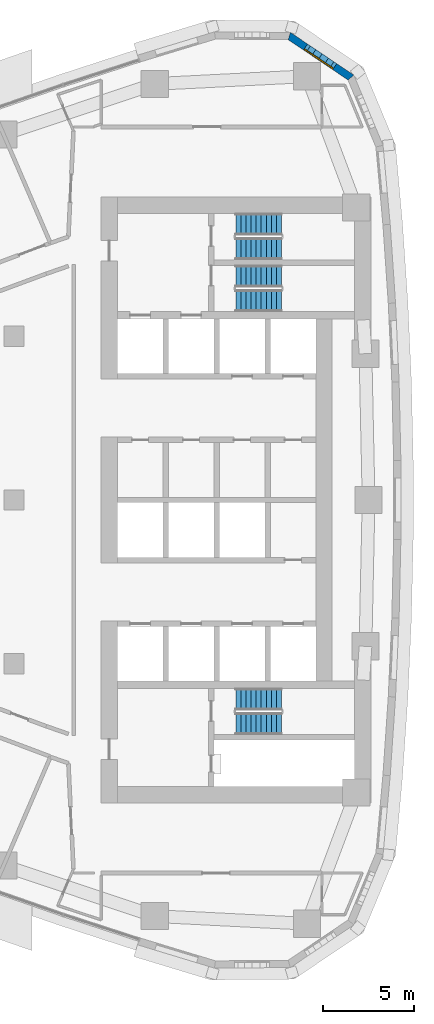
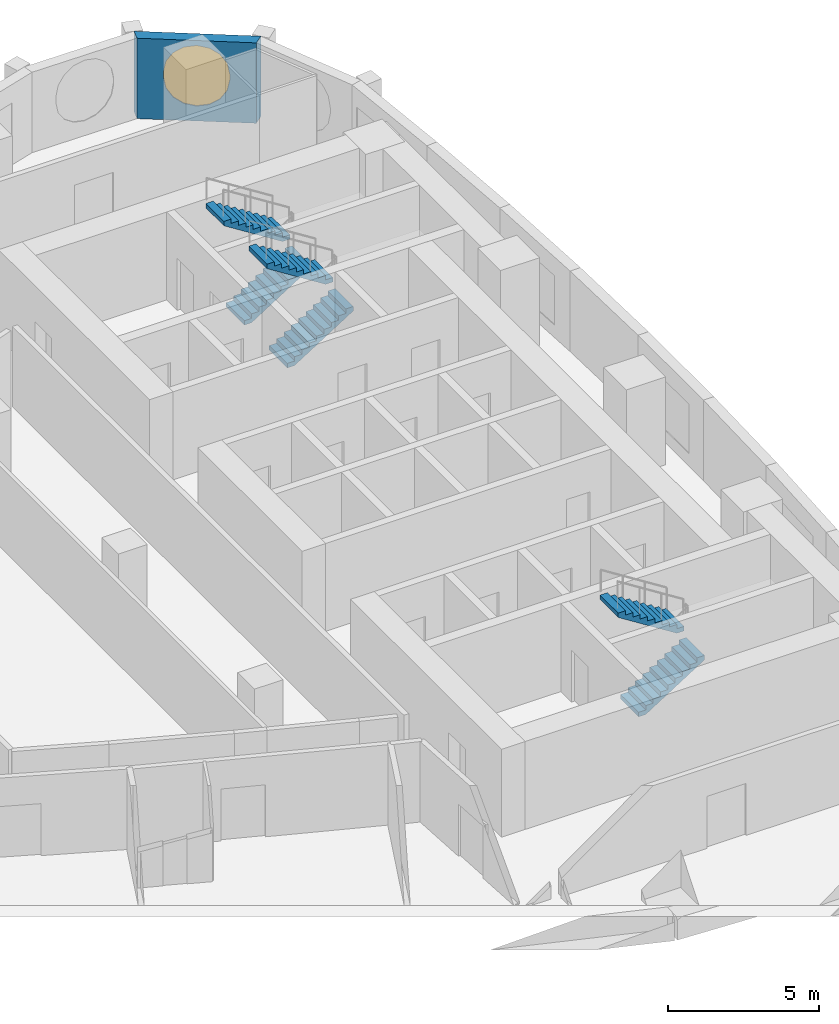
# One storey, part 13 of 17: 6 stair flights, 1 wall, 1 window, 1 opening, 3 elements without a shape of their own.
"""IFC4 building model written with IfcOpenShell, lengths in metres."""

import ifcopenshell
import ifcopenshell.guid

model = None  # the IFC model being written
_history = None  # IfcOwnerHistory: only IFC2X3 demands one
_inside = {}  # id of a spatial element -> (the spatial element, [elements in it])
_under = {}  # id of a project, library or spatial element -> (it, [spatial elements below it])
_declared = {}  # id of a project -> (the project, [libraries it declares])
_typed = {}  # id of a type object -> (the type object, [elements of that type])
_made_of = {}  # id of a material, layer set ... -> (it, [elements and type objects made of it])


def new_model(schema):
    """Start an empty IFC model of exactly this schema.

    Asked for "IFC4X3", IfcOpenShell would pick the latest addendum, in which some entities
    have other attributes; the version numbers below select the first issue.
    IFC2X3 requires an IfcOwnerHistory on every rooted entity: one is made here for all.
    """
    global model, _history
    if schema == "IFC4X3":
        model = ifcopenshell.file(schema_version=(4, 3, 0, 0))
    else:
        model = ifcopenshell.file(schema=schema)
    _inside.clear()
    _under.clear()
    _declared.clear()
    _typed.clear()
    _made_of.clear()
    _history = None
    if model.schema == "IFC2X3":
        org = make("IfcOrganization", Name="unknown")
        user = make(
            "IfcPersonAndOrganization",
            ThePerson=make("IfcPerson", FamilyName="unknown"),
            TheOrganization=org,
        )
        app = make(
            "IfcApplication",
            ApplicationDeveloper=org,
            Version="unknown",
            ApplicationFullName="unknown",
            ApplicationIdentifier="unknown",
        )
        _history = make(
            "IfcOwnerHistory",
            OwningUser=user,
            OwningApplication=app,
            ChangeAction="ADDED",
            CreationDate=0,
        )
    return model


def make(cls, **values):
    """One entity of the class cls with the attributes given. An attribute that is None is left unset."""
    return model.create_entity(
        cls, **{name: value for name, value in values.items() if value is not None}
    )


def rooted(cls, **values):
    """An entity with a GlobalId (a new one), such as an element, a storey or a relation."""
    return make(cls, GlobalId=ifcopenshell.guid.new(), OwnerHistory=_history, **values)


def si_unit(unit_type, name, prefix=None):
    """IfcSIUnit, for example si_unit("LENGTHUNIT", "METRE", prefix="MILLI")."""
    return make("IfcSIUnit", UnitType=unit_type, Prefix=prefix, Name=name)


def assignment(units):
    """IfcUnitAssignment: the units of a project."""
    return None if units is None else make("IfcUnitAssignment", Units=units)


def point(xyz):
    """IfcCartesianPoint."""
    return None if xyz is None else make("IfcCartesianPoint", Coordinates=xyz)


def direction(xyz):
    """IfcDirection."""
    return None if xyz is None else make("IfcDirection", DirectionRatios=xyz)


def frame(location, z_axis=None, x_axis=None):
    """IfcAxis2Placement3D, a coordinate frame: its origin and axes. An axis left out is left unset."""
    return make(
        "IfcAxis2Placement3D",
        Location=point(location),
        Axis=direction(z_axis),
        RefDirection=direction(x_axis),
    )


def origin():
    """The frame at (0, 0, 0) with its axes left unset."""
    return frame((0.0, 0.0, 0.0))


def place(relative_to, where):
    """IfcLocalPlacement: puts the frame where relative to a parent placement (None: the world)."""
    return make(
        "IfcLocalPlacement", PlacementRelTo=relative_to, RelativePlacement=where
    )


def context(
    kind, dimensions, precision=None, world=None, true_north=None, identifier=None
):
    """IfcGeometricRepresentationContext, for example the 3D "Model" context."""
    return make(
        "IfcGeometricRepresentationContext",
        ContextIdentifier=identifier,
        ContextType=kind,
        CoordinateSpaceDimension=dimensions,
        Precision=precision,
        WorldCoordinateSystem=world,
        TrueNorth=true_north,
    )


def subcontext(parent, identifier, kind, view, scale=None):
    """IfcGeometricRepresentationSubContext, for example "Body" below "Model"."""
    return make(
        "IfcGeometricRepresentationSubContext",
        ContextIdentifier=identifier,
        ContextType=kind,
        ParentContext=parent,
        TargetScale=scale,
        TargetView=view,
    )


def project(units=None, contexts=None):
    """IfcProject with its units and contexts."""
    return rooted(
        "IfcProject",
        Name="project",
        RepresentationContexts=contexts,
        UnitsInContext=assignment(units),
    )


def spatial(cls, under=None, at=None, **own):
    """A site, building, storey or space (cls), placed at a placement, below another one or the project."""
    s = rooted(cls, ObjectPlacement=at, **own)
    if under is not None:
        _under.setdefault(under.id(), (under, []))[1].append(s)
    return s


def polyline(points):
    """IfcPolyline through the points."""
    return make("IfcPolyline", Points=[point(p) for p in points])


def outline(outer, holes=None, kind="AREA"):
    """IfcArbitraryClosedProfileDef: a profile drawn as a closed curve; with holes, ...WithVoids."""
    if holes is None:
        return make("IfcArbitraryClosedProfileDef", ProfileType=kind, OuterCurve=outer)
    return make(
        "IfcArbitraryProfileDefWithVoids",
        ProfileType=kind,
        OuterCurve=outer,
        InnerCurves=holes,
    )


def extrude(swept, where, along, depth):
    """IfcExtrudedAreaSolid: the profile swept, set in the frame where, extruded along a direction by depth."""
    return make(
        "IfcExtrudedAreaSolid",
        SweptArea=swept,
        Position=where,
        ExtrudedDirection=direction(along),
        Depth=depth,
    )


def shape(context_of_items, identifier, shape_type, items):
    """IfcShapeRepresentation: the items that make up one representation, for example the "Body"."""
    return make(
        "IfcShapeRepresentation",
        ContextOfItems=context_of_items,
        RepresentationIdentifier=identifier,
        RepresentationType=shape_type,
        Items=items,
    )


def material(Name=None, Category=None):
    """IfcMaterial."""
    return make("IfcMaterial", Name=Name, Category=Category)


def layer(
    of_material, thickness, ventilated=None, Name=None, Category=None, Priority=None
):
    """IfcMaterialLayer: one layer of a wall or slab, of a material (None: an air gap)."""
    return make(
        "IfcMaterialLayer",
        Material=of_material,
        LayerThickness=thickness,
        IsVentilated=ventilated,
        Name=Name,
        Category=Category,
        Priority=Priority,
    )


def layer_set(layers, Name=None):
    """IfcMaterialLayerSet."""
    return make("IfcMaterialLayerSet", MaterialLayers=layers, LayerSetName=Name)


def made_of(thing, what):
    """Note that an element or type object is made of a material, layer set ...; save() writes the relation."""
    if what is not None:
        _made_of.setdefault(what.id(), (what, []))[1].append(thing)
    return thing


def type_object(cls, material=None, **own):
    """A type object (cls), such as IfcWallType, which elements share."""
    return made_of(rooted(cls, **own), material)


def element(
    cls,
    number,
    at=None,
    inside=None,
    cuts=None,
    type_object=None,
    material=None,
    context=None,
    identifier="Body",
    shape_type=None,
    held_by="IfcProductDefinitionShape",
    body=None,
    shapes=None,
    **own,
):
    """One element of the class cls, such as IfcWall. Its Tag is "e" and its number.

    at: its placement. inside: the storey or other place that contains it. cuts: it is an
    opening in that element (IfcRelVoidsElement). A single representation is given by context,
    identifier, shape_type and body (its items); several are given by shapes. held_by: the class
    of the entity that holds the representations. save() writes the other relations.
    """
    e = rooted(cls, Tag="e%d" % number, ObjectPlacement=at, **own)
    if body is not None:
        shapes = [shape(context, identifier, shape_type, body)]
    if shapes is not None:
        e.Representation = make(held_by, Representations=shapes)
    if inside is not None:
        _inside.setdefault(inside.id(), (inside, []))[1].append(e)
    if cuts is not None:
        rooted(
            "IfcRelVoidsElement", RelatingBuildingElement=cuts, RelatedOpeningElement=e
        )
    if type_object is not None:
        _typed.setdefault(type_object.id(), (type_object, []))[1].append(e)
    return made_of(e, material)


def fill(opening, filler):
    """IfcRelFillsElement: the door or window that sits in an opening."""
    return rooted(
        "IfcRelFillsElement",
        RelatingOpeningElement=opening,
        RelatedBuildingElement=filler,
    )


def aggregate(whole, parts):
    """IfcRelAggregates: a whole, such as a stair, and the parts it consists of."""
    return rooted("IfcRelAggregates", RelatingObject=whole, RelatedObjects=parts)


def save(model, path):
    """Write the relations noted so far, then the file.

    IfcRelAggregates (storeys below a building ...), IfcRelContainedInSpatialStructure (elements
    in a storey), IfcRelDefinesByType, IfcRelAssociatesMaterial and IfcRelDeclares: one each for
    every whole, place, type object, material and project.
    """
    for whole, parts in _under.values():
        aggregate(whole, parts)
    for where, things in _inside.values():
        rooted(
            "IfcRelContainedInSpatialStructure",
            RelatedElements=things,
            RelatingStructure=where,
        )
    for kind, things in _typed.values():
        rooted("IfcRelDefinesByType", RelatedObjects=things, RelatingType=kind)
    for what, things in _made_of.values():
        rooted("IfcRelAssociatesMaterial", RelatedObjects=things, RelatingMaterial=what)
    for by, libraries in _declared.values():
        rooted("IfcRelDeclares", RelatingContext=by, RelatedDefinitions=libraries)
    model.write(path)


model = new_model("IFC4")

# Units and contexts
model_context = context("Model", 3, precision=1e-05, world=origin(), true_north=direction((0.0, 1.0)))
body_context = subcontext(model_context, "Body", "Model", "MODEL_VIEW")
ifc_project = project(units=[si_unit("LENGTHUNIT", "METRE"), si_unit("AREAUNIT", "SQUARE_METRE"), si_unit("VOLUMEUNIT", "CUBIC_METRE"), si_unit("PLANEANGLEUNIT", "RADIAN"), si_unit("MASSUNIT", "GRAM", prefix="KILO")], contexts=[model_context])

# Site, building, storey
site_placement = place(None, origin())
site = spatial("IfcSite", under=ifc_project, at=site_placement, CompositionType="ELEMENT")
building_placement = place(site_placement, origin())
building = spatial("IfcBuilding", under=site, at=building_placement, Name="Ostrand Prow Hotel Tower", CompositionType="ELEMENT")
storey_placement = place(building_placement, frame((0.0, 0.0, 155.050048828125)))
storey = spatial("IfcBuildingStorey", under=building, at=storey_placement, Name="L38", CompositionType="ELEMENT", Elevation=155.050048828125)

# Wall, opening, window
ifc_material_1 = material(Name="Precast concrete C40/50", Category="concrete")
ifc_layer = layer(ifc_material_1, 0.39990234375)
ifc_layer_set = layer_set([ifc_layer], Name="Precast concrete C40/50")
wall_type = type_object("IfcWallType", Name="Stone-faced precast wall 400 mm", PredefinedType="NOTDEFINED", material=ifc_layer_set)
wall_placement = place(storey_placement, frame((63.5302734375, 23.218505859375, 0.0), z_axis=(0.0, 0.0, 1.0), x_axis=(-0.829642062482, 0.558295663749, 0.0)))
wall = element("IfcWall", 1, at=wall_placement, inside=storey, type_object=wall_type, Name="Stone-faced wall back 15", PredefinedType="NOTDEFINED", context=body_context, shape_type="SweptSolid", body=[
    extrude(outline(polyline([(-0.060302734375, -0.199951171875), (4.144287109375, -0.199951171875), (4.023681640625, 0.199951171875), (0.060302734375, 0.199951171875), (-0.060302734375, -0.199951171875)])), origin(), (0.0, 0.0, 1.0), 3.25),
])
opening_placement = place(wall_placement, frame((0.94189453125, 0.0, 0.60009765625)))
opening = element("IfcOpeningElement", 2, at=opening_placement, cuts=wall, Name="Opening WP2", PredefinedType="OPENING", context=body_context, shape_type="SweptSolid", body=[
    extrude(outline(polyline([(0.0, 1.35009765625), (0.083740234375, 1.77099609375), (0.322265625, 2.127685546875), (0.678955078125, 2.3662109375), (1.10009765625, 2.449951171875), (1.52099609375, 2.3662109375), (1.877685546875, 2.127685546875), (2.1162109375, 1.77099609375), (2.199951171875, 1.35009765625), (2.199951171875, 1.10009765625), (2.1162109375, 0.678955078125), (1.877685546875, 0.322265625), (1.52099609375, 0.083740234375), (1.10009765625, 0.0), (0.678955078125, 0.083740234375), (0.322265625, 0.322265625), (0.083740234375, 0.678955078125), (0.0, 1.099853515625), (0.0, 1.35009765625)])), frame((0.0, 0.2099609375, 0.0), z_axis=(0.0, -1.0, 0.0), x_axis=(1.0, 0.0, 0.0)), (0.0, 0.0, 1.0), 0.419921875),
])
ifc_material_2 = material(Name="Insulated glass in bronze frame", Category="glass")
window_type = type_object("IfcWindowType", Name="Round-ended prow lounge window 2200x2450", PartitioningType="SINGLE_PANEL", PredefinedType="WINDOW", material=ifc_material_2)
window_placement = place(opening_placement, origin())
window = element("IfcWindow", 3, at=window_placement, inside=storey, type_object=window_type, Name="Window back 15.1", OverallHeight=2.449951171875, OverallWidth=2.199951171875, PartitioningType="SINGLE_PANEL", PredefinedType="WINDOW", context=body_context, shape_type="SweptSolid", body=[
    extrude(outline(polyline([(0.0, 1.35009765625), (0.083740234375, 1.77099609375), (0.322265625, 2.127685546875), (0.678955078125, 2.3662109375), (1.10009765625, 2.449951171875), (1.52099609375, 2.3662109375), (1.877685546875, 2.127685546875), (2.1162109375, 1.77099609375), (2.199951171875, 1.35009765625), (2.199951171875, 1.10009765625), (2.1162109375, 0.678955078125), (1.877685546875, 0.322265625), (1.52099609375, 0.083740234375), (1.10009765625, 0.0), (0.678955078125, 0.083740234375), (0.322265625, 0.322265625), (0.083740234375, 0.678955078125), (0.0, 1.099853515625), (0.0, 1.35009765625)])), frame((0.0, 0.169921875, 0.0), z_axis=(0.0, -1.0, 0.0), x_axis=(1.0, 0.0, 0.0)), (0.0, 0.0, 1.0), 0.06005859375),
])
fill(opening, window)

# Stair, stair flights
ifc_material_3 = material(Name="Concrete C40/50", Category="concrete")
stair_type = type_object("IfcStairType", Name="Exit stair 1200 upper zone", PredefinedType="HALF_TURN_STAIR", material=ifc_material_3)
stair_1_placement = place(storey_placement, origin())
stair_1 = element("IfcStair", 4, at=stair_1_placement, inside=storey, type_object=stair_type, Name="L38 ST1C", PredefinedType="HALF_TURN_STAIR")
ifc_material_4 = material(Name="Concrete C40/50", Category="concrete")
stair_flight_type = type_object("IfcStairFlightType", Name="Stair flight 1200 concrete", PredefinedType="STRAIGHT", material=ifc_material_4)
stair_flight_1_placement = place(storey_placement, frame((57.199951171875, 10.949951171875, 0.0), z_axis=(0.0, 0.0, 1.0), x_axis=(1.0, 0.0, 0.0)))
stair_flight_1 = element("IfcStairFlight", 5, at=stair_flight_1_placement, type_object=stair_flight_type, Name="ST1C flight 1", NumberOfRisers=10, NumberOfTreads=9, PredefinedType="STRAIGHT", RiserHeight=0.1775, TreadLength=0.28, context=body_context, shape_type="SweptSolid", body=[
    extrude(outline(polyline([(0.0, 0.0), (0.0, 0.177490234375), (0.280029296875, 0.177490234375), (0.280029296875, 0.35498046875), (0.56005859375, 0.35498046875), (0.56005859375, 0.532470703125), (0.840087890625, 0.532470703125), (0.840087890625, 0.7099609375), (1.1201171875, 0.7099609375), (1.1201171875, 0.887451171875), (1.39990234375, 0.887451171875), (1.39990234375, 1.06494140625), (1.679931640625, 1.06494140625), (1.679931640625, 1.242431640625), (1.9599609375, 1.242431640625), (1.9599609375, 1.419921875), (2.239990234375, 1.419921875), (2.239990234375, 1.597412109375), (2.52001953125, 1.597412109375), (2.52001953125, 1.77490234375), (2.52001953125, 1.419921875), (0.280029296875, 0.0), (0.0, 0.0)])), frame((0.0, 0.60009765625, 0.0), z_axis=(0.0, -1.0, 0.0), x_axis=(1.0, 0.0, 0.0)), (0.0, 0.0, 1.0), 1.199951171875),
])
stair_flight_2_placement = place(storey_placement, frame((59.719970703125, 12.300048828125, 1.77490234375), z_axis=(0.0, 0.0, 1.0), x_axis=(-1.0, 0.0, 0.0)))
stair_flight_2 = element("IfcStairFlight", 6, at=stair_flight_2_placement, type_object=stair_flight_type, Name="ST1C flight 2", NumberOfRisers=10, NumberOfTreads=9, PredefinedType="STRAIGHT", RiserHeight=0.1775, TreadLength=0.28, context=body_context, shape_type="SweptSolid", body=[
    extrude(outline(polyline([(0.0, 0.0), (0.0, 0.177490234375), (0.280029296875, 0.177490234375), (0.280029296875, 0.35498046875), (0.56005859375, 0.35498046875), (0.56005859375, 0.532470703125), (0.840087890625, 0.532470703125), (0.840087890625, 0.7099609375), (1.1201171875, 0.7099609375), (1.1201171875, 0.887451171875), (1.39990234375, 0.887451171875), (1.39990234375, 1.06494140625), (1.679931640625, 1.06494140625), (1.679931640625, 1.242431640625), (1.9599609375, 1.242431640625), (1.9599609375, 1.419921875), (2.239990234375, 1.419921875), (2.239990234375, 1.597412109375), (2.52001953125, 1.597412109375), (2.52001953125, 1.77490234375), (2.52001953125, 1.419921875), (0.280029296875, 0.0), (0.0, 0.0)])), frame((0.0, 0.60009765625, 0.0), z_axis=(0.0, -1.0, 0.0), x_axis=(1.0, 0.0, 0.0)), (0.0, 0.0, 1.0), 1.199951171875),
])
aggregate(stair_1, [stair_flight_1, stair_flight_2])

stair_2_placement = place(storey_placement, origin())
stair_2 = element("IfcStair", 7, at=stair_2_placement, inside=storey, type_object=stair_type, Name="L38 ST3C", PredefinedType="HALF_TURN_STAIR")
stair_flight_3_placement = place(storey_placement, frame((57.199951171875, 13.800048828125, 0.0), z_axis=(0.0, 0.0, 1.0), x_axis=(1.0, 0.0, 0.0)))
stair_flight_3 = element("IfcStairFlight", 8, at=stair_flight_3_placement, type_object=stair_flight_type, Name="ST3C flight 1", NumberOfRisers=10, NumberOfTreads=9, PredefinedType="STRAIGHT", RiserHeight=0.1775, TreadLength=0.28, context=body_context, shape_type="SweptSolid", body=[
    extrude(outline(polyline([(0.0, 0.0), (0.0, 0.177490234375), (0.280029296875, 0.177490234375), (0.280029296875, 0.35498046875), (0.56005859375, 0.35498046875), (0.56005859375, 0.532470703125), (0.840087890625, 0.532470703125), (0.840087890625, 0.7099609375), (1.1201171875, 0.7099609375), (1.1201171875, 0.887451171875), (1.39990234375, 0.887451171875), (1.39990234375, 1.06494140625), (1.679931640625, 1.06494140625), (1.679931640625, 1.242431640625), (1.9599609375, 1.242431640625), (1.9599609375, 1.419921875), (2.239990234375, 1.419921875), (2.239990234375, 1.597412109375), (2.52001953125, 1.597412109375), (2.52001953125, 1.77490234375), (2.52001953125, 1.419921875), (0.280029296875, 0.0), (0.0, 0.0)])), frame((0.0, 0.60009765625, 0.0), z_axis=(0.0, -1.0, 0.0), x_axis=(1.0, 0.0, 0.0)), (0.0, 0.0, 1.0), 1.199951171875),
])
stair_flight_4_placement = place(storey_placement, frame((59.719970703125, 15.14990234375, 1.77490234375), z_axis=(0.0, 0.0, 1.0), x_axis=(-1.0, 0.0, 0.0)))
stair_flight_4 = element("IfcStairFlight", 9, at=stair_flight_4_placement, type_object=stair_flight_type, Name="ST3C flight 2", NumberOfRisers=10, NumberOfTreads=9, PredefinedType="STRAIGHT", RiserHeight=0.1775, TreadLength=0.28, context=body_context, shape_type="SweptSolid", body=[
    extrude(outline(polyline([(0.0, 0.0), (0.0, 0.177490234375), (0.280029296875, 0.177490234375), (0.280029296875, 0.35498046875), (0.56005859375, 0.35498046875), (0.56005859375, 0.532470703125), (0.840087890625, 0.532470703125), (0.840087890625, 0.7099609375), (1.1201171875, 0.7099609375), (1.1201171875, 0.887451171875), (1.39990234375, 0.887451171875), (1.39990234375, 1.06494140625), (1.679931640625, 1.06494140625), (1.679931640625, 1.242431640625), (1.9599609375, 1.242431640625), (1.9599609375, 1.419921875), (2.239990234375, 1.419921875), (2.239990234375, 1.597412109375), (2.52001953125, 1.597412109375), (2.52001953125, 1.77490234375), (2.52001953125, 1.419921875), (0.280029296875, 0.0), (0.0, 0.0)])), frame((0.0, 0.60009765625, 0.0), z_axis=(0.0, -1.0, 0.0), x_axis=(1.0, 0.0, 0.0)), (0.0, 0.0, 1.0), 1.199951171875),
])
aggregate(stair_2, [stair_flight_3, stair_flight_4])

stair_3_placement = place(storey_placement, origin())
stair_3 = element("IfcStair", 10, at=stair_3_placement, inside=storey, type_object=stair_type, Name="L38 ST2C", PredefinedType="HALF_TURN_STAIR")
stair_flight_5_placement = place(storey_placement, frame((57.199951171875, -12.300048828125, 0.0), z_axis=(0.0, 0.0, 1.0), x_axis=(1.0, 0.0, 0.0)))
stair_flight_5 = element("IfcStairFlight", 11, at=stair_flight_5_placement, type_object=stair_flight_type, Name="ST2C flight 1", NumberOfRisers=10, NumberOfTreads=9, PredefinedType="STRAIGHT", RiserHeight=0.1775, TreadLength=0.28, context=body_context, shape_type="SweptSolid", body=[
    extrude(outline(polyline([(0.0, 0.0), (0.0, 0.177490234375), (0.280029296875, 0.177490234375), (0.280029296875, 0.35498046875), (0.56005859375, 0.35498046875), (0.56005859375, 0.532470703125), (0.840087890625, 0.532470703125), (0.840087890625, 0.7099609375), (1.1201171875, 0.7099609375), (1.1201171875, 0.887451171875), (1.39990234375, 0.887451171875), (1.39990234375, 1.06494140625), (1.679931640625, 1.06494140625), (1.679931640625, 1.242431640625), (1.9599609375, 1.242431640625), (1.9599609375, 1.419921875), (2.239990234375, 1.419921875), (2.239990234375, 1.597412109375), (2.52001953125, 1.597412109375), (2.52001953125, 1.77490234375), (2.52001953125, 1.419921875), (0.280029296875, 0.0), (0.0, 0.0)])), frame((0.0, 0.60009765625, 0.0), z_axis=(0.0, -1.0, 0.0), x_axis=(1.0, 0.0, 0.0)), (0.0, 0.0, 1.0), 1.199951171875),
])
stair_flight_6_placement = place(storey_placement, frame((59.719970703125, -10.949951171875, 1.77490234375), z_axis=(0.0, 0.0, 1.0), x_axis=(-1.0, 0.0, 0.0)))
stair_flight_6 = element("IfcStairFlight", 12, at=stair_flight_6_placement, type_object=stair_flight_type, Name="ST2C flight 2", NumberOfRisers=10, NumberOfTreads=9, PredefinedType="STRAIGHT", RiserHeight=0.1775, TreadLength=0.28, context=body_context, shape_type="SweptSolid", body=[
    extrude(outline(polyline([(0.0, 0.0), (0.0, 0.177490234375), (0.280029296875, 0.177490234375), (0.280029296875, 0.35498046875), (0.56005859375, 0.35498046875), (0.56005859375, 0.532470703125), (0.840087890625, 0.532470703125), (0.840087890625, 0.7099609375), (1.1201171875, 0.7099609375), (1.1201171875, 0.887451171875), (1.39990234375, 0.887451171875), (1.39990234375, 1.06494140625), (1.679931640625, 1.06494140625), (1.679931640625, 1.242431640625), (1.9599609375, 1.242431640625), (1.9599609375, 1.419921875), (2.239990234375, 1.419921875), (2.239990234375, 1.597412109375), (2.52001953125, 1.597412109375), (2.52001953125, 1.77490234375), (2.52001953125, 1.419921875), (0.280029296875, 0.0), (0.0, 0.0)])), frame((0.0, 0.60009765625, 0.0), z_axis=(0.0, -1.0, 0.0), x_axis=(1.0, 0.0, 0.0)), (0.0, 0.0, 1.0), 1.199951171875),
])
aggregate(stair_3, [stair_flight_5, stair_flight_6])

save(model, "model.ifc")
